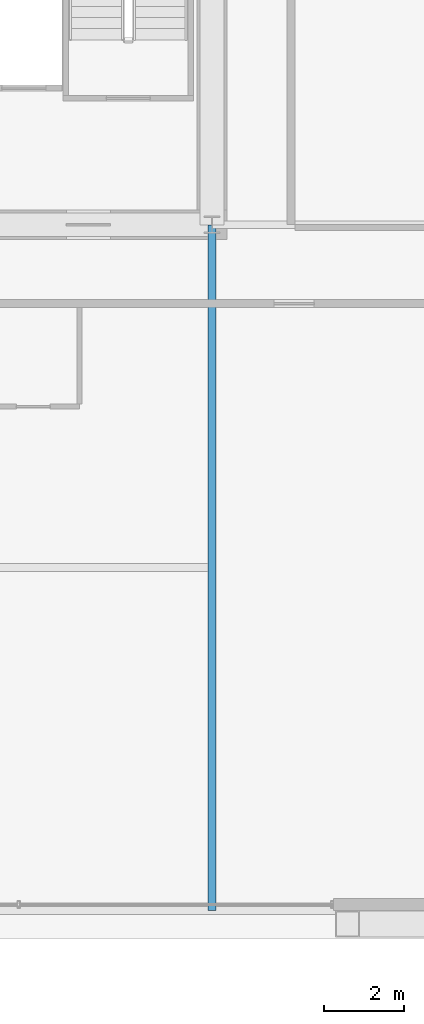
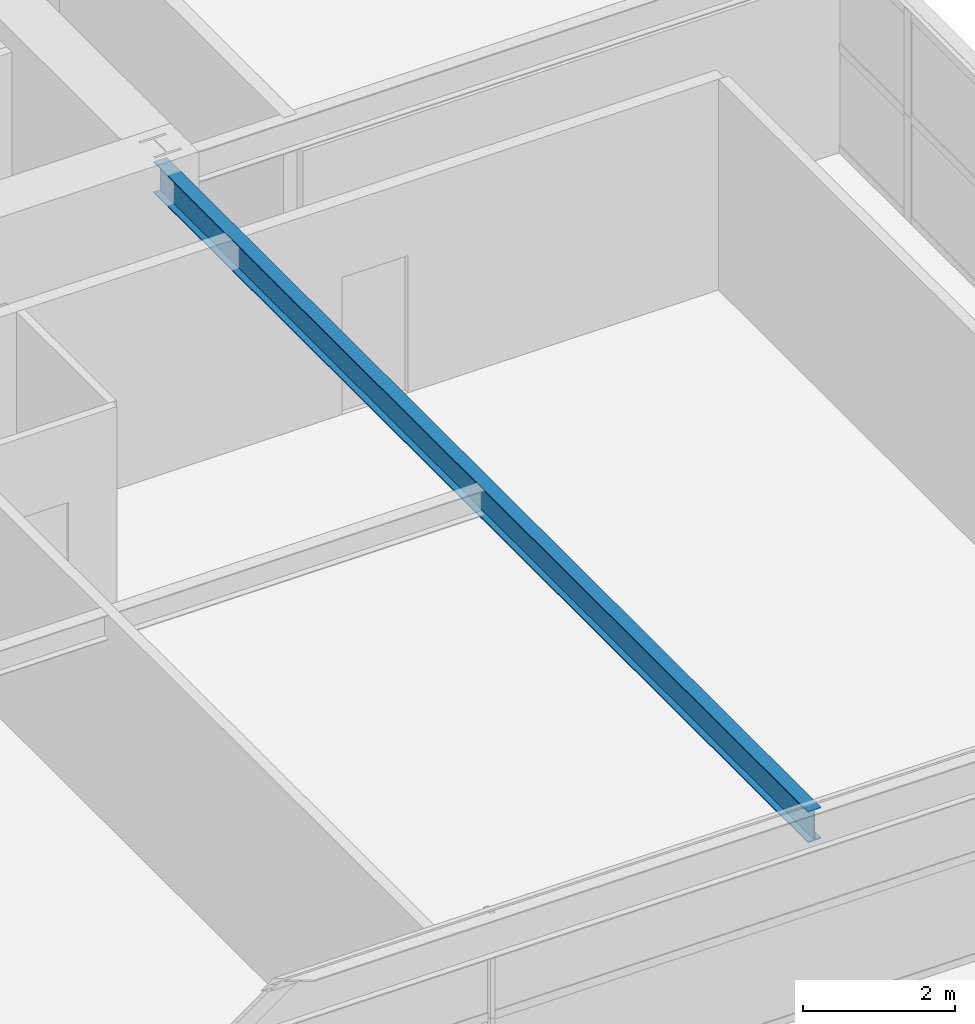
# One storey, part 17 of 43: 1 beam.
"""IFC4 building model written with IfcOpenShell, lengths in metres."""

from ifc_helpers import new_model, si_unit, direction, frame, origin, origin_2d, place, context, subcontext, project, spatial, i_section, extrude, source, transform, mapped, material, material_profile, profile_set, type_object, element, save


model = new_model("IFC4")

# Units and contexts
model_context = context("Model", 3, precision=1e-05, world=origin(), true_north=direction((0.0, 1.0)))
body_context = subcontext(model_context, "Body", "Model", "MODEL_VIEW")
ifc_project = project(units=[si_unit("LENGTHUNIT", "METRE"), si_unit("AREAUNIT", "SQUARE_METRE"), si_unit("VOLUMEUNIT", "CUBIC_METRE"), si_unit("PLANEANGLEUNIT", "RADIAN"), si_unit("MASSUNIT", "GRAM", prefix="KILO"), si_unit("THERMODYNAMICTEMPERATUREUNIT", "KELVIN"), si_unit("POWERUNIT", "WATT")], contexts=[model_context])

# Site, building, storey
site_placement = place(None, origin())
site = spatial("IfcSite", under=ifc_project, at=site_placement, CompositionType="ELEMENT")
building_placement = place(site_placement, origin())
building = spatial("IfcBuilding", under=site, at=building_placement, Name="Yuzanri Waterfront Tower", CompositionType="ELEMENT")
storey_placement = place(building_placement, frame((0.0, 0.0, 108.199951171875)))
storey = spatial("IfcBuildingStorey", under=building, at=storey_placement, Name="L28", CompositionType="ELEMENT", Elevation=108.199951171875)

# Beam
ifc_material = material(Name="Steel Q355B", Category="steel")
ifc_material_profile = material_profile(ifc_material, i_section(OverallWidth=0.199951171875, OverallDepth=0.5, WebThickness=0.010009765625, FlangeThickness=0.01611328125, at=origin_2d()), Name="HN 500x200x10x16")
ifc_profile_set = profile_set([ifc_material_profile], Name="Steel Q355B")
beam_type = type_object("IfcBeamType", Name="Secondary Floor Beam Q355B HN 500x200", PredefinedType="BEAM", material=ifc_profile_set)
shared_shape = source(origin(), body_context, "Body", "SweptSolid", [
    extrude(i_section(OverallWidth=0.199951171875, OverallDepth=0.5, WebThickness=0.010009765625, FlangeThickness=0.01611328125, at=origin_2d()), origin(), (0.0, 0.0, 1.0), 17.199951171875),
])
beam_placement = place(storey_placement, frame((50.199951171875, 19.39990234375, 3.130126953125), z_axis=(0.0, -1.0, 0.0), x_axis=(1.0, 0.0, 0.0)))
element("IfcBeam", 1, at=beam_placement, inside=storey, type_object=beam_type, Name="L28 South-East Core Line Beam", PredefinedType="BEAM", context=body_context, shape_type="MappedRepresentation", body=[
    mapped(shared_shape, transform((0.0, 0.0, 0.0), scale=1.0)),
])

save(model, "model.ifc")
